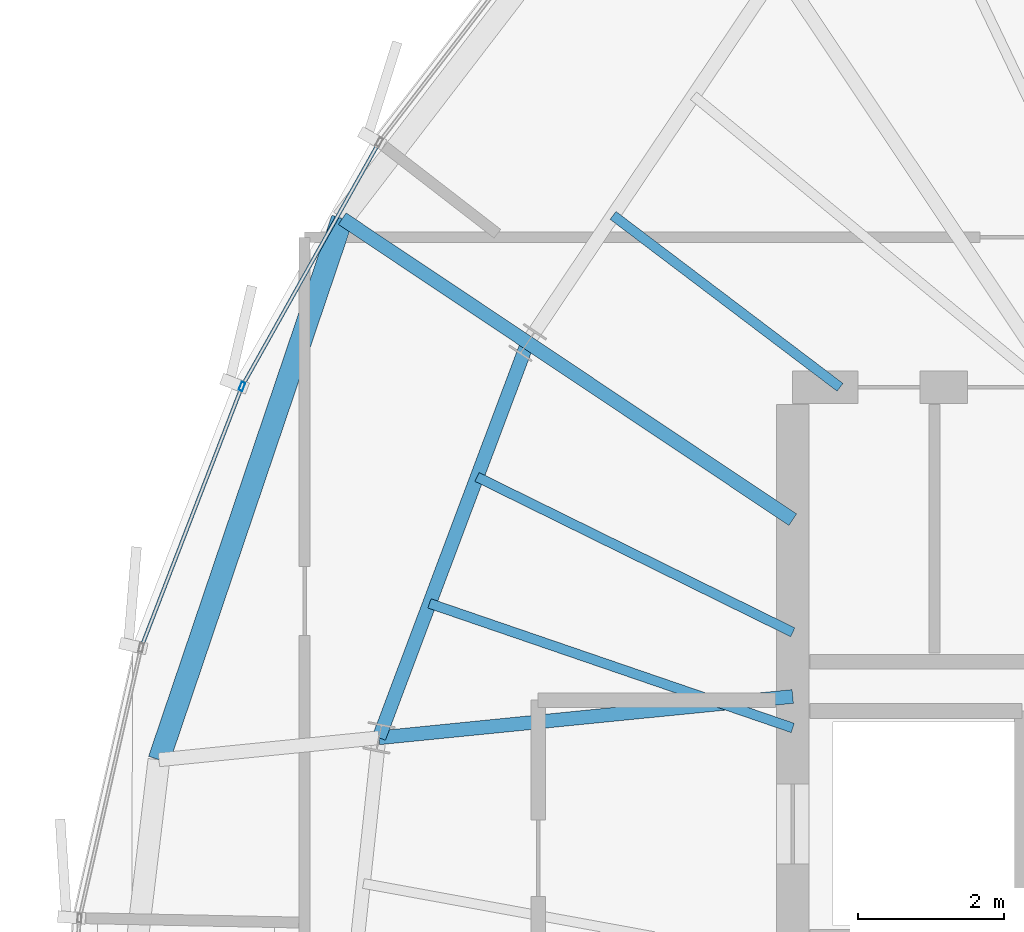
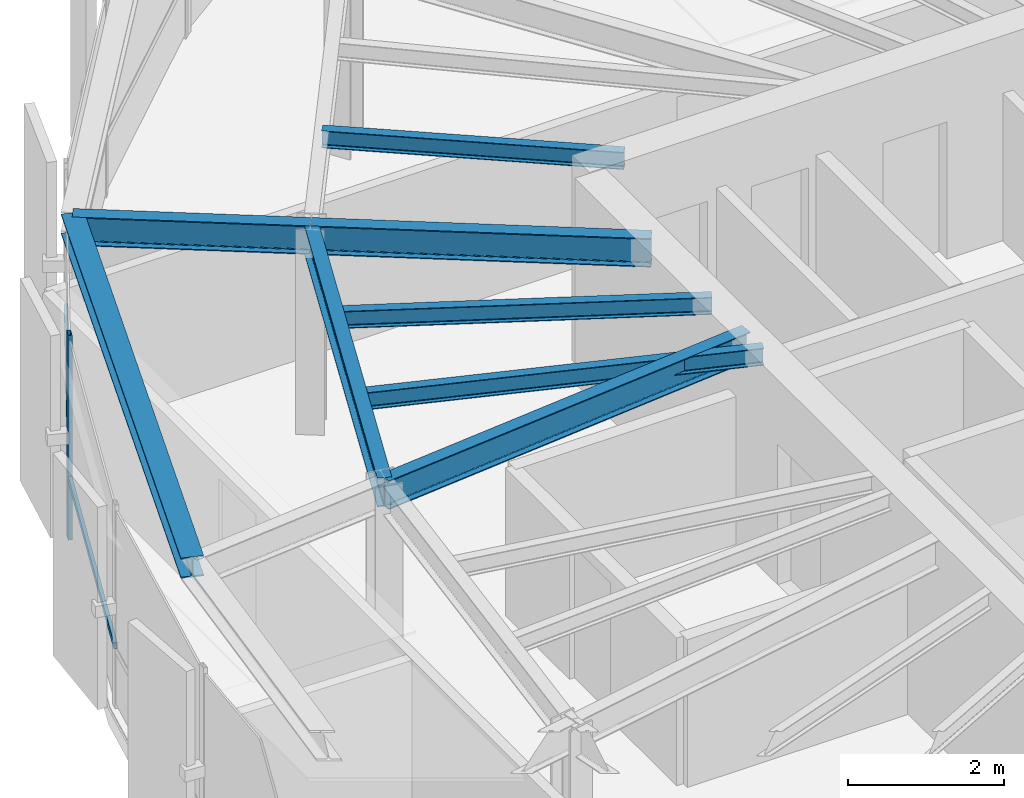
# One storey, part 12 of 30: 8 beams, 3 members, 1 element without a shape of its own.
"""IFC4 building model written with IfcOpenShell, lengths in metres."""

import ifcopenshell
import ifcopenshell.guid

model = None  # the IFC model being written
_history = None  # IfcOwnerHistory: only IFC2X3 demands one
_inside = {}  # id of a spatial element -> (the spatial element, [elements in it])
_under = {}  # id of a project, library or spatial element -> (it, [spatial elements below it])
_declared = {}  # id of a project -> (the project, [libraries it declares])
_typed = {}  # id of a type object -> (the type object, [elements of that type])
_made_of = {}  # id of a material, layer set ... -> (it, [elements and type objects made of it])


def new_model(schema):
    """Start an empty IFC model of exactly this schema.

    Asked for "IFC4X3", IfcOpenShell would pick the latest addendum, in which some entities
    have other attributes; the version numbers below select the first issue.
    IFC2X3 requires an IfcOwnerHistory on every rooted entity: one is made here for all.
    """
    global model, _history
    if schema == "IFC4X3":
        model = ifcopenshell.file(schema_version=(4, 3, 0, 0))
    else:
        model = ifcopenshell.file(schema=schema)
    _inside.clear()
    _under.clear()
    _declared.clear()
    _typed.clear()
    _made_of.clear()
    _history = None
    if model.schema == "IFC2X3":
        org = make("IfcOrganization", Name="unknown")
        user = make(
            "IfcPersonAndOrganization",
            ThePerson=make("IfcPerson", FamilyName="unknown"),
            TheOrganization=org,
        )
        app = make(
            "IfcApplication",
            ApplicationDeveloper=org,
            Version="unknown",
            ApplicationFullName="unknown",
            ApplicationIdentifier="unknown",
        )
        _history = make(
            "IfcOwnerHistory",
            OwningUser=user,
            OwningApplication=app,
            ChangeAction="ADDED",
            CreationDate=0,
        )
    return model


def make(cls, **values):
    """One entity of the class cls with the attributes given. An attribute that is None is left unset."""
    return model.create_entity(
        cls, **{name: value for name, value in values.items() if value is not None}
    )


def rooted(cls, **values):
    """An entity with a GlobalId (a new one), such as an element, a storey or a relation."""
    return make(cls, GlobalId=ifcopenshell.guid.new(), OwnerHistory=_history, **values)


def si_unit(unit_type, name, prefix=None):
    """IfcSIUnit, for example si_unit("LENGTHUNIT", "METRE", prefix="MILLI")."""
    return make("IfcSIUnit", UnitType=unit_type, Prefix=prefix, Name=name)


def assignment(units):
    """IfcUnitAssignment: the units of a project."""
    return None if units is None else make("IfcUnitAssignment", Units=units)


def point(xyz):
    """IfcCartesianPoint."""
    return None if xyz is None else make("IfcCartesianPoint", Coordinates=xyz)


def direction(xyz):
    """IfcDirection."""
    return None if xyz is None else make("IfcDirection", DirectionRatios=xyz)


def frame(location, z_axis=None, x_axis=None):
    """IfcAxis2Placement3D, a coordinate frame: its origin and axes. An axis left out is left unset."""
    return make(
        "IfcAxis2Placement3D",
        Location=point(location),
        Axis=direction(z_axis),
        RefDirection=direction(x_axis),
    )


def frame_2d(location, x_axis=None):
    """IfcAxis2Placement2D, a coordinate frame in the plane: its origin and x axis."""
    return make(
        "IfcAxis2Placement2D", Location=point(location), RefDirection=direction(x_axis)
    )


def origin():
    """The frame at (0, 0, 0) with its axes left unset."""
    return frame((0.0, 0.0, 0.0))


def origin_2d():
    """The frame at (0, 0) in the plane with its x axis left unset."""
    return frame_2d((0.0, 0.0))


def place(relative_to, where):
    """IfcLocalPlacement: puts the frame where relative to a parent placement (None: the world)."""
    return make(
        "IfcLocalPlacement", PlacementRelTo=relative_to, RelativePlacement=where
    )


def context(
    kind, dimensions, precision=None, world=None, true_north=None, identifier=None
):
    """IfcGeometricRepresentationContext, for example the 3D "Model" context."""
    return make(
        "IfcGeometricRepresentationContext",
        ContextIdentifier=identifier,
        ContextType=kind,
        CoordinateSpaceDimension=dimensions,
        Precision=precision,
        WorldCoordinateSystem=world,
        TrueNorth=true_north,
    )


def subcontext(parent, identifier, kind, view, scale=None):
    """IfcGeometricRepresentationSubContext, for example "Body" below "Model"."""
    return make(
        "IfcGeometricRepresentationSubContext",
        ContextIdentifier=identifier,
        ContextType=kind,
        ParentContext=parent,
        TargetScale=scale,
        TargetView=view,
    )


def project(units=None, contexts=None):
    """IfcProject with its units and contexts."""
    return rooted(
        "IfcProject",
        Name="project",
        RepresentationContexts=contexts,
        UnitsInContext=assignment(units),
    )


def spatial(cls, under=None, at=None, **own):
    """A site, building, storey or space (cls), placed at a placement, below another one or the project."""
    s = rooted(cls, ObjectPlacement=at, **own)
    if under is not None:
        _under.setdefault(under.id(), (under, []))[1].append(s)
    return s


def profile(cls, at=None, kind="AREA", **sizes):
    """A parametric profile (cls). Its sizes go by their IFC names, for example OverallWidth=200.0."""
    return make(cls, ProfileType=kind, Position=at, **sizes)


def hollow_rectangle(**sizes):
    """IfcRectangleHollowProfileDef."""
    return profile("IfcRectangleHollowProfileDef", **sizes)


def i_section(**sizes):
    """IfcIShapeProfileDef."""
    return profile("IfcIShapeProfileDef", **sizes)


def extrude(swept, where, along, depth):
    """IfcExtrudedAreaSolid: the profile swept, set in the frame where, extruded along a direction by depth."""
    return make(
        "IfcExtrudedAreaSolid",
        SweptArea=swept,
        Position=where,
        ExtrudedDirection=direction(along),
        Depth=depth,
    )


def shape(context_of_items, identifier, shape_type, items):
    """IfcShapeRepresentation: the items that make up one representation, for example the "Body"."""
    return make(
        "IfcShapeRepresentation",
        ContextOfItems=context_of_items,
        RepresentationIdentifier=identifier,
        RepresentationType=shape_type,
        Items=items,
    )


def source(mapping_origin, context_of_items, identifier, shape_type, items):
    """IfcRepresentationMap: a shape defined once, which mapped items show again and again."""
    return make(
        "IfcRepresentationMap",
        MappingOrigin=mapping_origin,
        MappedRepresentation=shape(context_of_items, identifier, shape_type, items),
    )


def transform(
    local_origin,
    x_axis=None,
    y_axis=None,
    z_axis=None,
    scale=None,
    scale2=None,
    scale3=None,
    uniform=True,
):
    """IfcCartesianTransformationOperator3D, or its non-uniform kind. x_axis, y_axis, z_axis: its Axis1, 2, 3."""
    if uniform:
        return make(
            "IfcCartesianTransformationOperator3D",
            Axis1=direction(x_axis),
            Axis2=direction(y_axis),
            LocalOrigin=point(local_origin),
            Scale=scale,
            Axis3=direction(z_axis),
        )
    return make(
        "IfcCartesianTransformationOperator3DnonUniform",
        Axis1=direction(x_axis),
        Axis2=direction(y_axis),
        LocalOrigin=point(local_origin),
        Scale=scale,
        Axis3=direction(z_axis),
        Scale2=scale2,
        Scale3=scale3,
    )


def mapped(mapping_source, mapping_target):
    """IfcMappedItem: shows the shape of a source again, moved by a transform."""
    return make(
        "IfcMappedItem", MappingSource=mapping_source, MappingTarget=mapping_target
    )


def material(Name=None, Category=None):
    """IfcMaterial."""
    return make("IfcMaterial", Name=Name, Category=Category)


def layer(
    of_material, thickness, ventilated=None, Name=None, Category=None, Priority=None
):
    """IfcMaterialLayer: one layer of a wall or slab, of a material (None: an air gap)."""
    return make(
        "IfcMaterialLayer",
        Material=of_material,
        LayerThickness=thickness,
        IsVentilated=ventilated,
        Name=Name,
        Category=Category,
        Priority=Priority,
    )


def layer_set(layers, Name=None):
    """IfcMaterialLayerSet."""
    return make("IfcMaterialLayerSet", MaterialLayers=layers, LayerSetName=Name)


def material_profile(
    of_material, cross_section, Name=None, Category=None, Priority=None
):
    """IfcMaterialProfile: a cross section and its material."""
    return make(
        "IfcMaterialProfile",
        Name=Name,
        Material=of_material,
        Profile=cross_section,
        Priority=Priority,
        Category=Category,
    )


def profile_set(profiles, Name=None, composite=None):
    """IfcMaterialProfileSet."""
    return make(
        "IfcMaterialProfileSet",
        Name=Name,
        MaterialProfiles=profiles,
        CompositeProfile=composite,
    )


def made_of(thing, what):
    """Note that an element or type object is made of a material, layer set ...; save() writes the relation."""
    if what is not None:
        _made_of.setdefault(what.id(), (what, []))[1].append(thing)
    return thing


def type_object(cls, material=None, **own):
    """A type object (cls), such as IfcWallType, which elements share."""
    return made_of(rooted(cls, **own), material)


def element(
    cls,
    number,
    at=None,
    inside=None,
    cuts=None,
    type_object=None,
    material=None,
    context=None,
    identifier="Body",
    shape_type=None,
    held_by="IfcProductDefinitionShape",
    body=None,
    shapes=None,
    **own,
):
    """One element of the class cls, such as IfcWall. Its Tag is "e" and its number.

    at: its placement. inside: the storey or other place that contains it. cuts: it is an
    opening in that element (IfcRelVoidsElement). A single representation is given by context,
    identifier, shape_type and body (its items); several are given by shapes. held_by: the class
    of the entity that holds the representations. save() writes the other relations.
    """
    e = rooted(cls, Tag="e%d" % number, ObjectPlacement=at, **own)
    if body is not None:
        shapes = [shape(context, identifier, shape_type, body)]
    if shapes is not None:
        e.Representation = make(held_by, Representations=shapes)
    if inside is not None:
        _inside.setdefault(inside.id(), (inside, []))[1].append(e)
    if cuts is not None:
        rooted(
            "IfcRelVoidsElement", RelatingBuildingElement=cuts, RelatedOpeningElement=e
        )
    if type_object is not None:
        _typed.setdefault(type_object.id(), (type_object, []))[1].append(e)
    return made_of(e, material)


def aggregate(whole, parts):
    """IfcRelAggregates: a whole, such as a stair, and the parts it consists of."""
    return rooted("IfcRelAggregates", RelatingObject=whole, RelatedObjects=parts)


def save(model, path):
    """Write the relations noted so far, then the file.

    IfcRelAggregates (storeys below a building ...), IfcRelContainedInSpatialStructure (elements
    in a storey), IfcRelDefinesByType, IfcRelAssociatesMaterial and IfcRelDeclares: one each for
    every whole, place, type object, material and project.
    """
    for whole, parts in _under.values():
        aggregate(whole, parts)
    for where, things in _inside.values():
        rooted(
            "IfcRelContainedInSpatialStructure",
            RelatedElements=things,
            RelatingStructure=where,
        )
    for kind, things in _typed.values():
        rooted("IfcRelDefinesByType", RelatedObjects=things, RelatingType=kind)
    for what, things in _made_of.values():
        rooted("IfcRelAssociatesMaterial", RelatedObjects=things, RelatingMaterial=what)
    for by, libraries in _declared.values():
        rooted("IfcRelDeclares", RelatingContext=by, RelatedDefinitions=libraries)
    model.write(path)


model = new_model("IFC4")

# Units and contexts
model_context = context("Model", 3, precision=1e-05, world=origin(), true_north=direction((0.0, 1.0)))
body_context = subcontext(model_context, "Body", "Model", "MODEL_VIEW")
ifc_project = project(units=[si_unit("LENGTHUNIT", "METRE"), si_unit("AREAUNIT", "SQUARE_METRE"), si_unit("VOLUMEUNIT", "CUBIC_METRE"), si_unit("PLANEANGLEUNIT", "RADIAN"), si_unit("MASSUNIT", "GRAM", prefix="KILO"), si_unit("THERMODYNAMICTEMPERATUREUNIT", "KELVIN")], contexts=[model_context])

# Site, building, storey
site_placement = place(None, origin())
site = spatial("IfcSite", under=ifc_project, at=site_placement, CompositionType="ELEMENT")
building_placement = place(site_placement, origin())
building = spatial("IfcBuilding", under=site, at=building_placement, Name="Kethvar Cultural Tower", CompositionType="ELEMENT")
storey_placement = place(building_placement, frame((0.0, 0.0, 293.949951171875)))
storey = spatial("IfcBuildingStorey", under=building, at=storey_placement, Name="L78", CompositionType="ELEMENT", Elevation=293.949951171875)

# Beams
ifc_material_1 = material(Name="Steel S355J2", Category="steel")
ifc_material_profile_1 = material_profile(ifc_material_1, i_section(OverallWidth=0.18994140625, OverallDepth=0.449951171875, WebThickness=0.009521484375, FlangeThickness=0.0146484375, FilletRadius=0.02099609375, at=origin_2d()), Name="Steel S355J2 — IPE450")
ifc_profile_set_1 = profile_set([ifc_material_profile_1], Name="Steel S355J2 — IPE450")
beam_type_1 = type_object("IfcBeamType", Name="BM-IPE450", PredefinedType="BEAM", material=ifc_profile_set_1)
shared_shape_1 = source(origin(), body_context, "Body", "SweptSolid", [
    extrude(i_section(OverallWidth=0.18994140625, OverallDepth=0.449951171875, WebThickness=0.009521484375, FlangeThickness=0.0146484375, FilletRadius=0.02099609375, at=origin_2d()), origin(), (0.0, 0.0, 1.0), 4.3828125),
])
beam_1_placement = place(storey_placement, frame((38.0, 33.679931640625, 2.983154296875), z_axis=(-0.831449909861, 0.555599718676, 0.0), x_axis=(-0.555599718676, -0.831449909861, 0.0)))
element("IfcBeam", 1, at=beam_1_placement, inside=storey, type_object=beam_type_1, Name="L78 Primary Radial Beam RB-07", PredefinedType="BEAM", context=body_context, shape_type="MappedRepresentation", body=[
    mapped(shared_shape_1, transform((0.0, 0.0, 0.0), scale=1.0)),
])
shared_shape_2 = source(origin(), body_context, "Body", "SweptSolid", [
    extrude(i_section(OverallWidth=0.18994140625, OverallDepth=0.449951171875, WebThickness=0.009521484375, FlangeThickness=0.0146484375, FilletRadius=0.02099609375, at=origin_2d()), origin(), (0.0, 0.0, 1.0), 5.7158203125),
])
beam_2_placement = place(storey_placement, frame((38.0, 31.25, 2.983154296875), z_axis=(-0.995048179628, -0.099393763478, 0.0), x_axis=(0.099393763478, -0.995048179628, 0.0)))
element("IfcBeam", 2, at=beam_2_placement, inside=storey, type_object=beam_type_1, Name="L78 Primary Radial Beam RB-08", PredefinedType="BEAM", context=body_context, shape_type="MappedRepresentation", body=[
    mapped(shared_shape_2, transform((0.0, 0.0, 0.0), scale=1.0)),
])
ifc_material_profile_2 = material_profile(ifc_material_1, i_section(OverallWidth=0.135009765625, OverallDepth=0.27001953125, WebThickness=0.006591796875, FlangeThickness=0.01025390625, FilletRadius=0.014892578125, at=origin_2d()), Name="Steel S355J2 — IPE270")
ifc_profile_set_2 = profile_set([ifc_material_profile_2], Name="Steel S355J2 — IPE270")
beam_type_2 = type_object("IfcBeamType", Name="BM-J270", PredefinedType="JOIST", material=ifc_profile_set_2)
shared_shape_3 = source(origin(), body_context, "Body", "SweptSolid", [
    extrude(i_section(OverallWidth=0.135009765625, OverallDepth=0.27001953125, WebThickness=0.006591796875, FlangeThickness=0.01025390625, FilletRadius=0.014892578125, at=origin_2d()), origin(), (0.0, 0.0, 1.0), 3.91357421875),
])
beam_3_placement = place(storey_placement, frame((38.64990234375, 35.5, 3.072998046875), z_axis=(-0.797214062325, 0.603696727531, 0.0), x_axis=(-0.603696727531, -0.797214062325, 0.0)))
element("IfcBeam", 3, at=beam_3_placement, inside=storey, type_object=beam_type_2, Name="L78 Composite Floor Joist J-06B", PredefinedType="JOIST", context=body_context, shape_type="MappedRepresentation", body=[
    mapped(shared_shape_3, transform((0.0, 0.0, 0.0), scale=1.0)),
])
shared_shape_4 = source(origin(), body_context, "Body", "SweptSolid", [
    extrude(i_section(OverallWidth=0.18994140625, OverallDepth=0.449951171875, WebThickness=0.009521484375, FlangeThickness=0.0146484375, FilletRadius=0.02099609375, at=origin_2d()), origin(), (0.0, 0.0, 1.0), 5.8046875),
])
beam_4_placement = place(storey_placement, frame((34.35595703125, 36.114990234375, 2.983154296875), z_axis=(-0.352035902861, -0.935986497283, 0.0), x_axis=(0.935986497283, -0.352035902861, 0.0)))
element("IfcBeam", 4, at=beam_4_placement, inside=storey, type_object=beam_type_1, Name="L78 Column Ring Tie Beam CR-07", PredefinedType="BEAM", context=body_context, shape_type="MappedRepresentation", body=[
    mapped(shared_shape_4, transform((0.0, 0.0, 0.0), scale=1.0)),
])
shared_shape_5 = source(origin(), body_context, "Body", "SweptSolid", [
    extrude(i_section(OverallWidth=0.135009765625, OverallDepth=0.27001953125, WebThickness=0.006591796875, FlangeThickness=0.01025390625, FilletRadius=0.014892578125, at=origin_2d()), origin(), (0.0, 0.0, 1.0), 4.8359375),
])
beam_5_placement = place(storey_placement, frame((38.0, 32.1318359375, 3.072998046875), z_axis=(-0.897196527088, 0.441631511308, 0.0), x_axis=(-0.441631511308, -0.897196527088, 0.0)))
element("IfcBeam", 5, at=beam_5_placement, inside=storey, type_object=beam_type_2, Name="L78 Composite Floor Joist J-07A", PredefinedType="JOIST", context=body_context, shape_type="MappedRepresentation", body=[
    mapped(shared_shape_5, transform((0.0, 0.0, 0.0), scale=1.0)),
])
shared_shape_6 = source(origin(), body_context, "Body", "SweptSolid", [
    extrude(i_section(OverallWidth=0.135009765625, OverallDepth=0.27001953125, WebThickness=0.006591796875, FlangeThickness=0.01025390625, FilletRadius=0.014892578125, at=origin_2d()), origin(), (0.0, 0.0, 1.0), 5.2783203125),
])
beam_6_placement = place(storey_placement, frame((38.0, 30.817138671875, 3.072998046875), z_axis=(-0.945942702368, 0.324333784607, 0.0), x_axis=(-0.324333784607, -0.945942702368, 0.0)))
element("IfcBeam", 6, at=beam_6_placement, inside=storey, type_object=beam_type_2, Name="L78 Composite Floor Joist J-07B", PredefinedType="JOIST", context=body_context, shape_type="MappedRepresentation", body=[
    mapped(shared_shape_6, transform((0.0, 0.0, 0.0), scale=1.0)),
])
shared_shape_7 = source(origin(), body_context, "Body", "SweptSolid", [
    extrude(i_section(OverallWidth=0.18994140625, OverallDepth=0.449951171875, WebThickness=0.009521484375, FlangeThickness=0.0146484375, FilletRadius=0.02099609375, at=origin_2d()), origin(), (0.0, 0.0, 1.0), 3.064208984375),
])
beam_7_placement = place(storey_placement, frame((34.35595703125, 36.114990234375, 2.983154296875), z_axis=(-0.831510548122, 0.555508963349, 0.0), x_axis=(-0.555508963349, -0.831510548122, 0.0)))
element("IfcBeam", 7, at=beam_7_placement, inside=storey, type_object=beam_type_1, Name="L78 Perimeter Cantilever Beam RC-07", PredefinedType="BEAM", context=body_context, shape_type="MappedRepresentation", body=[
    mapped(shared_shape_7, transform((0.0, 0.0, 0.0), scale=1.0)),
])
ifc_material_profile_3 = material_profile(ifc_material_1, i_section(OverallWidth=0.300048828125, OverallDepth=0.320068359375, WebThickness=0.011474609375, FlangeThickness=0.0205078125, FilletRadius=0.027099609375, at=origin_2d()), Name="Steel S355J2 — HEB320")
ifc_profile_set_3 = profile_set([ifc_material_profile_3], Name="Steel S355J2 — HEB320")
beam_type_3 = type_object("IfcBeamType", Name="BM-SP320", PredefinedType="SPANDREL", material=ifc_profile_set_3)
shared_shape_8 = source(origin(), body_context, "Body", "SweptSolid", [
    extrude(i_section(OverallWidth=0.300048828125, OverallDepth=0.320068359375, WebThickness=0.011474609375, FlangeThickness=0.0205078125, FilletRadius=0.027099609375, at=origin_2d()), origin(), (0.0, 0.0, 1.0), 7.852783203125),
])
beam_8_placement = place(storey_placement, frame((31.80810546875, 37.817138671875, 3.048095703125), z_axis=(-0.320905995993, -0.947111050371, 0.0), x_axis=(0.947111050371, -0.320905995993, 0.0)))
element("IfcBeam", 8, at=beam_8_placement, inside=storey, type_object=beam_type_3, Name="L78 Perimeter Spandrel Beam SP-07", PredefinedType="SPANDREL", context=body_context, shape_type="MappedRepresentation", body=[
    mapped(shared_shape_8, transform((0.0, 0.0, 0.0), scale=1.0)),
])

# Curtain wall, members
ifc_material_2 = material(Name="Aluminium 6063-T6", Category="aluminium")
ifc_layer = layer(ifc_material_2, 0.179931640625, Name="Aluminium 6063-T6", Category="aluminium")
ifc_layer_set = layer_set([ifc_layer], Name="Aluminium 6063-T6 (180 mm)")
curtain_wall_type = type_object("IfcCurtainWallType", Name="CW-SYS-05-Z56", PredefinedType="NOTDEFINED", material=ifc_layer_set)
curtain_wall_placement = place(storey_placement, origin())
curtain_wall = element("IfcCurtainWall", 9, at=curtain_wall_placement, inside=storey, type_object=curtain_wall_type, Name="L78 Curtain Wall Run 02", PredefinedType="NOTDEFINED")
ifc_material_profile_4 = material_profile(ifc_material_2, hollow_rectangle(XDim=0.054931640625, YDim=0.1201171875, WallThickness=0.00390625, at=origin_2d()), Name="Aluminium 6063-T6 — RHS120x55x4")
ifc_profile_set_4 = profile_set([ifc_material_profile_4], Name="Aluminium 6063-T6 — RHS120x55x4")
member_type_1 = type_object("IfcMemberType", Name="CW-SYS-05-Z56-MUL", PredefinedType="MULLION", material=ifc_profile_set_4)
shared_shape_9 = source(origin(), body_context, "Body", "SweptSolid", [
    extrude(hollow_rectangle(XDim=0.054931640625, YDim=0.1201171875, WallThickness=0.00390625, at=origin_2d()), origin(), (0.0, 0.0, 1.0), 3.2099609375),
])
member_1_placement = place(storey_placement, frame((30.429443359375, 35.51123046875, 0.0), z_axis=(0.0, 0.0, 1.0), x_axis=(0.932966100516, -0.359964241679, 0.0)))
member_1 = element("IfcMember", 10, at=member_1_placement, type_object=member_type_1, Name="CW-L78-R02 Mullion 4", PredefinedType="MULLION", context=body_context, shape_type="MappedRepresentation", body=[
    mapped(shared_shape_9, transform((0.0, 0.0, 0.0), scale=1.0)),
])
ifc_material_profile_5 = material_profile(ifc_material_2, hollow_rectangle(XDim=0.050048828125, YDim=0.10009765625, WallThickness=0.00390625, at=origin_2d()), Name="Aluminium 6063-T6 — RHS100x50x4")
ifc_profile_set_5 = profile_set([ifc_material_profile_5], Name="Aluminium 6063-T6 — RHS100x50x4")
member_type_2 = type_object("IfcMemberType", Name="CW-SYS-05-Z56-TRN", PredefinedType="USERDEFINED", material=ifc_profile_set_5)
shared_shape_10 = source(origin(), body_context, "Body", "SweptSolid", [
    extrude(hollow_rectangle(XDim=0.050048828125, YDim=0.10009765625, WallThickness=0.00390625, at=origin_2d()), origin(), (0.0, 0.0, 1.0), 3.78466796875),
])
member_2_placement = place(storey_placement, frame((32.295166015625, 38.83349609375, 0.949951171875), z_axis=(-0.48940653964, -0.872055754501, 0.0), x_axis=(0.872055754501, -0.48940653964, 0.0)))
member_2 = element("IfcMember", 11, at=member_2_placement, type_object=member_type_2, Name="CW-L78-R02 Transom 3", ObjectType="TRANSOM", PredefinedType="USERDEFINED", context=body_context, shape_type="MappedRepresentation", body=[
    mapped(shared_shape_10, transform((0.0, 0.0, 0.0), scale=1.0)),
])
shared_shape_11 = source(origin(), body_context, "Body", "SweptSolid", [
    extrude(hollow_rectangle(XDim=0.050048828125, YDim=0.10009765625, WallThickness=0.00390625, at=origin_2d()), origin(), (0.0, 0.0, 1.0), 3.784912109375),
])
member_3_placement = place(storey_placement, frame((30.415283203125, 35.474365234375, 0.949951171875), z_axis=(-0.359985966845, -0.932957718053, 0.0), x_axis=(0.932957718053, -0.359985966845, 0.0)))
member_3 = element("IfcMember", 12, at=member_3_placement, type_object=member_type_2, Name="CW-L78-R02 Transom 4", ObjectType="TRANSOM", PredefinedType="USERDEFINED", context=body_context, shape_type="MappedRepresentation", body=[
    mapped(shared_shape_11, transform((0.0, 0.0, 0.0), scale=1.0)),
])
aggregate(curtain_wall, [member_1, member_2, member_3])

save(model, "model.ifc")
